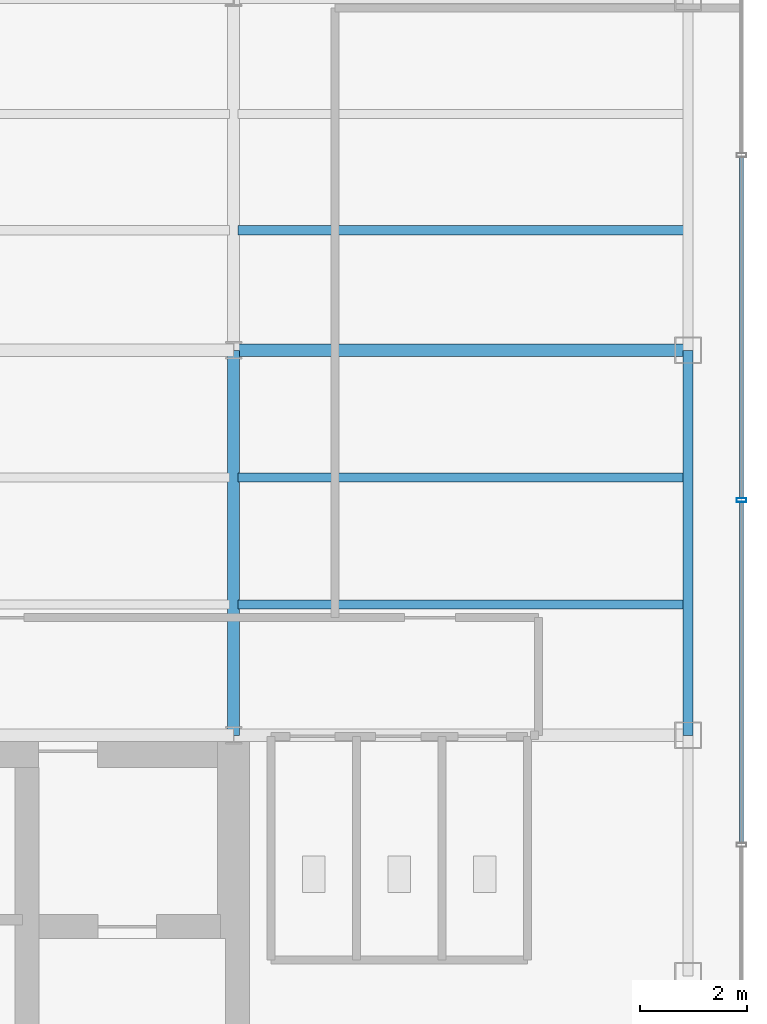
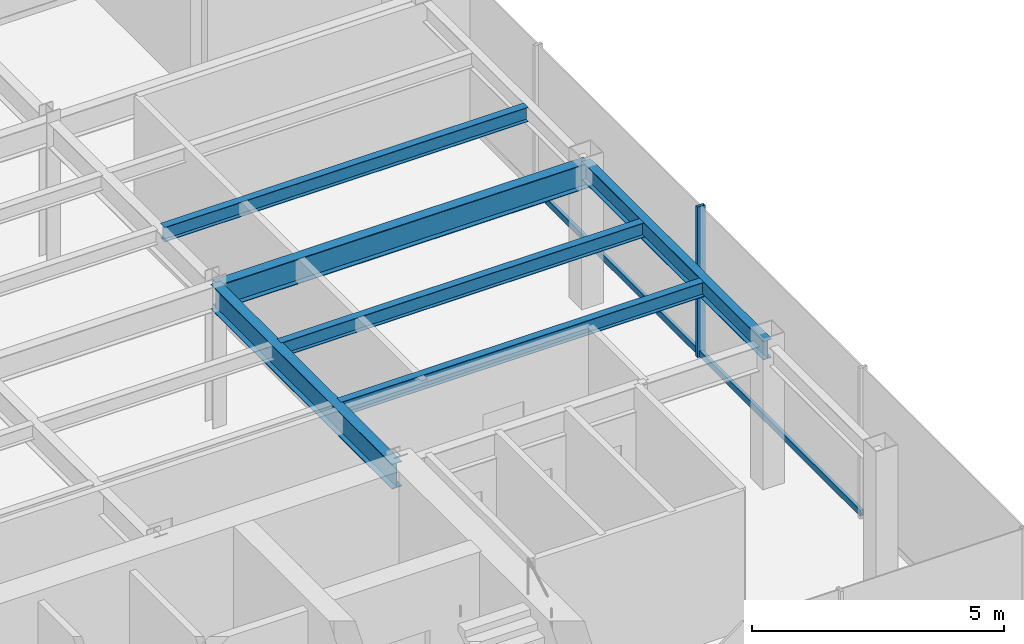
# One storey, part 10 of 22: 6 beams, 3 members, 1 element without a shape of its own.
"""IFC4 building model written with IfcOpenShell, lengths in metres."""

from ifc_helpers import new_model, si_unit, derived_unit, direction, frame, origin, origin_2d, place, context, subcontext, project, spatial, hollow_rectangle, i_section, extrude, source, transform, mapped, material, material_profile, profile_set, type_object, element, aggregate, save


model = new_model("IFC4")

# Units and contexts
model_context = context("Model", 3, precision=1e-05, world=origin(), true_north=direction((0.0, 1.0)))
body_context = subcontext(model_context, "Body", "Model", "MODEL_VIEW")
ifc_project = project(units=[si_unit("LENGTHUNIT", "METRE"), si_unit("AREAUNIT", "SQUARE_METRE"), si_unit("VOLUMEUNIT", "CUBIC_METRE"), si_unit("PLANEANGLEUNIT", "RADIAN"), si_unit("MASSUNIT", "GRAM", prefix="KILO"), derived_unit("THERMALTRANSMITTANCEUNIT", [(si_unit("POWERUNIT", "WATT"), 1), (si_unit("LENGTHUNIT", "METRE"), -2), (si_unit("THERMODYNAMICTEMPERATUREUNIT", "KELVIN"), -1)])], contexts=[model_context])

# Site, building, storey
site_placement = place(None, origin())
site = spatial("IfcSite", under=ifc_project, at=site_placement, CompositionType="ELEMENT")
building_placement = place(site_placement, origin())
building = spatial("IfcBuilding", under=site, at=building_placement, Name="Skarnbrae Concourse Arena and Tower", CompositionType="ELEMENT")
storey_placement = place(building_placement, frame((0.0, 0.0, 214.14990234375)))
storey = spatial("IfcBuildingStorey", under=building, at=storey_placement, Name="L55", CompositionType="ELEMENT", Elevation=214.14990234375)

# Beams
ifc_material_1 = material(Name="Steel CSA G40.21 350W", Category="steel")
ifc_material_profile_1 = material_profile(ifc_material_1, i_section(OverallWidth=0.22802734375, OverallDepth=0.60791015625, WebThickness=0.01123046875, FlangeThickness=0.017333984375, at=origin_2d()), Name="W610X113")
ifc_profile_set_1 = profile_set([ifc_material_profile_1], Name="Steel CSA G40.21 350W")
beam_type_1 = type_object("IfcBeamType", Name="BM-GIRD-W610X113", PredefinedType="BEAM", material=ifc_profile_set_1)
shared_shape_1 = source(origin(), body_context, "Body", "SweptSolid", [
    extrude(i_section(OverallWidth=0.22802734375, OverallDepth=0.60791015625, WebThickness=0.01123046875, FlangeThickness=0.017333984375, at=origin_2d()), origin(), (0.0, 0.0, 1.0), 8.5),
])
beam_1_placement = place(storey_placement, frame((33.5, 21.199951171875, 3.09619140625), z_axis=(1.0, 0.0, 0.0), x_axis=(0.0, 1.0, 0.0)))
element("IfcBeam", 1, at=beam_1_placement, inside=storey, type_object=beam_type_1, Name="L55 Primary E-W girder Y21.2-6", PredefinedType="BEAM", context=body_context, shape_type="MappedRepresentation", body=[
    mapped(shared_shape_1, transform((0.0, 0.0, 0.0))),
])
ifc_material_profile_2 = material_profile(ifc_material_1, i_section(OverallWidth=0.19091796875, OverallDepth=0.4599609375, WebThickness=0.010009765625, FlangeThickness=0.01611328125, at=origin_2d()), Name="W460X82")
ifc_profile_set_2 = profile_set([ifc_material_profile_2], Name="Steel CSA G40.21 350W")
beam_type_2 = type_object("IfcBeamType", Name="BM-SPAN-W460X82", PredefinedType="SPANDREL", material=ifc_profile_set_2)
shared_shape_2 = source(origin(), body_context, "Body", "SweptSolid", [
    extrude(i_section(OverallWidth=0.19091796875, OverallDepth=0.4599609375, WebThickness=0.010009765625, FlangeThickness=0.01611328125, at=origin_2d()), origin(), (0.0, 0.0, 1.0), 7.199951171875),
])
beam_2_placement = place(storey_placement, frame((42.0, 14.0, 3.170166015625), z_axis=(0.0, 1.0, 0.0), x_axis=(-1.0, 0.0, 0.0)))
element("IfcBeam", 2, at=beam_2_placement, inside=storey, type_object=beam_type_2, Name="L55 Perimeter spandrel X42.0-2", PredefinedType="SPANDREL", context=body_context, shape_type="MappedRepresentation", body=[
    mapped(shared_shape_2, transform((0.0, 0.0, 0.0))),
])
shared_shape_3 = source(origin(), body_context, "Body", "SweptSolid", [
    extrude(i_section(OverallWidth=0.22802734375, OverallDepth=0.60791015625, WebThickness=0.01123046875, FlangeThickness=0.017333984375, at=origin_2d()), origin(), (0.0, 0.0, 1.0), 7.199951171875),
])
beam_3_placement = place(storey_placement, frame((33.5, 14.0, 3.09619140625), z_axis=(0.0, 1.0, 0.0), x_axis=(-1.0, 0.0, 0.0)))
element("IfcBeam", 3, at=beam_3_placement, inside=storey, type_object=beam_type_1, Name="L55 Primary N-S girder X33.5-1", PredefinedType="BEAM", context=body_context, shape_type="MappedRepresentation", body=[
    mapped(shared_shape_3, transform((0.0, 0.0, 0.0))),
])
ifc_material_profile_3 = material_profile(ifc_material_1, i_section(OverallWidth=0.1708984375, OverallDepth=0.35498046875, WebThickness=0.007080078125, FlangeThickness=0.01171875, at=origin_2d()), Name="W360X51")
ifc_profile_set_3 = profile_set([ifc_material_profile_3], Name="Steel CSA G40.21 350W")
beam_type_3 = type_object("IfcBeamType", Name="BM-JOIST-W360X51", PredefinedType="JOIST", material=ifc_profile_set_3)
shared_shape_4 = source(origin(), body_context, "Body", "SweptSolid", [
    extrude(i_section(OverallWidth=0.1708984375, OverallDepth=0.35498046875, WebThickness=0.007080078125, FlangeThickness=0.01171875, at=origin_2d()), origin(), (0.0, 0.0, 1.0), 8.33984375),
])
for number, where, z_axis, x_axis, name in (
    (4, (33.580078125, 16.447998046875, 3.22265625), (1.0, 0.0, 0.0), (0.0, 1.0, 0.0), "L55 Secondary floor joist 1.1.6"),
    (5, (33.580078125, 18.823974609375, 3.22265625), (1.0, 0.0, 0.0), (0.0, 1.0, 0.0), "L55 Secondary floor joist 1.2.6"),
    (6, (33.580078125, 23.444091796875, 3.22265625), (1.0, 0.0, 0.0), (0.0, 1.0, 0.0), "L55 Secondary floor joist 2.1.6"),
):
    element("IfcBeam", number, at=place(storey_placement, frame(where, z_axis=z_axis, x_axis=x_axis)), inside=storey, type_object=beam_type_3, Name=name, PredefinedType="JOIST", context=body_context, shape_type="MappedRepresentation", body=[
        mapped(shared_shape_4, transform((0.0, 0.0, 0.0))),
    ])

# Curtain wall, members
ifc_material_2 = material(Name="Bronze anodised aluminium 6063-T6", Category="aluminium")
curtain_wall_type = type_object("IfcCurtainWallType", Name="CW-SYS-05-HIGHZONE", PredefinedType="USERDEFINED", material=ifc_material_2)
curtain_wall_placement = place(storey_placement, origin())
curtain_wall = element("IfcCurtainWall", 7, at=curtain_wall_placement, inside=storey, type_object=curtain_wall_type, Name="L55 Unitised curtain wall CW-L55-E04", ObjectType="UNITISED CURTAIN WALL", PredefinedType="USERDEFINED")
ifc_material_profile_4 = material_profile(ifc_material_2, hollow_rectangle(XDim=0.074951171875, YDim=0.14990234375, WallThickness=0.00390625, at=origin_2d()), Name="ALU-TRAN-75X150")
ifc_profile_set_4 = profile_set([ifc_material_profile_4], Name="Bronze anodised aluminium 6063-T6")
member_type_1 = type_object("IfcMemberType", Name="CWT-CW-05", PredefinedType="USERDEFINED", material=ifc_profile_set_4)
shared_shape_5 = source(origin(), body_context, "Body", "SweptSolid", [
    extrude(hollow_rectangle(XDim=0.074951171875, YDim=0.14990234375, WallThickness=0.00390625, at=origin_2d()), origin(), (0.0, 0.0, 1.0), 6.375),
])
member_1_placement = place(storey_placement, frame((43.0, 11.987548828125, 0.0751953125), z_axis=(0.0, 1.0, 0.0), x_axis=(-1.0, 0.0, 0.0)))
member_1 = element("IfcMember", 8, at=member_1_placement, type_object=member_type_1, Name="CW-L55-E04 Transom 2", ObjectType="TRANSOM", PredefinedType="USERDEFINED", context=body_context, shape_type="MappedRepresentation", body=[
    mapped(shared_shape_5, transform((0.0, 0.0, 0.0))),
])
member_2_placement = place(storey_placement, frame((43.0, 18.4375, 0.0751953125), z_axis=(0.0, 1.0, 0.0), x_axis=(-1.0, 0.0, 0.0)))
member_2 = element("IfcMember", 9, at=member_2_placement, type_object=member_type_1, Name="CW-L55-E04 Transom 3", ObjectType="TRANSOM", PredefinedType="USERDEFINED", context=body_context, shape_type="MappedRepresentation", body=[
    mapped(shared_shape_5, transform((0.0, 0.0, 0.0))),
])
ifc_material_profile_5 = material_profile(ifc_material_2, hollow_rectangle(XDim=0.074951171875, YDim=0.179931640625, WallThickness=0.00390625, at=origin_2d()), Name="ALU-MULL-75X180")
ifc_profile_set_5 = profile_set([ifc_material_profile_5], Name="Bronze anodised aluminium 6063-T6")
member_type_2 = type_object("IfcMemberType", Name="CWM-CW-05", PredefinedType="MULLION", material=ifc_profile_set_5)
shared_shape_6 = source(origin(), body_context, "Body", "SweptSolid", [
    extrude(hollow_rectangle(XDim=0.074951171875, YDim=0.179931640625, WallThickness=0.00390625, at=origin_2d()), origin(), (0.0, 0.0, 1.0), 3.650146484375),
])
member_3_placement = place(storey_placement, frame((43.0, 18.39990234375, 0.0), z_axis=(0.0, 0.0, 1.0), x_axis=(0.0, 1.0, 0.0)))
member_3 = element("IfcMember", 10, at=member_3_placement, type_object=member_type_2, Name="CW-L55-E04 Mullion 3", PredefinedType="MULLION", context=body_context, shape_type="MappedRepresentation", body=[
    mapped(shared_shape_6, transform((0.0, 0.0, 0.0))),
])
aggregate(curtain_wall, [member_3, member_1, member_2])

save(model, "model.ifc")
